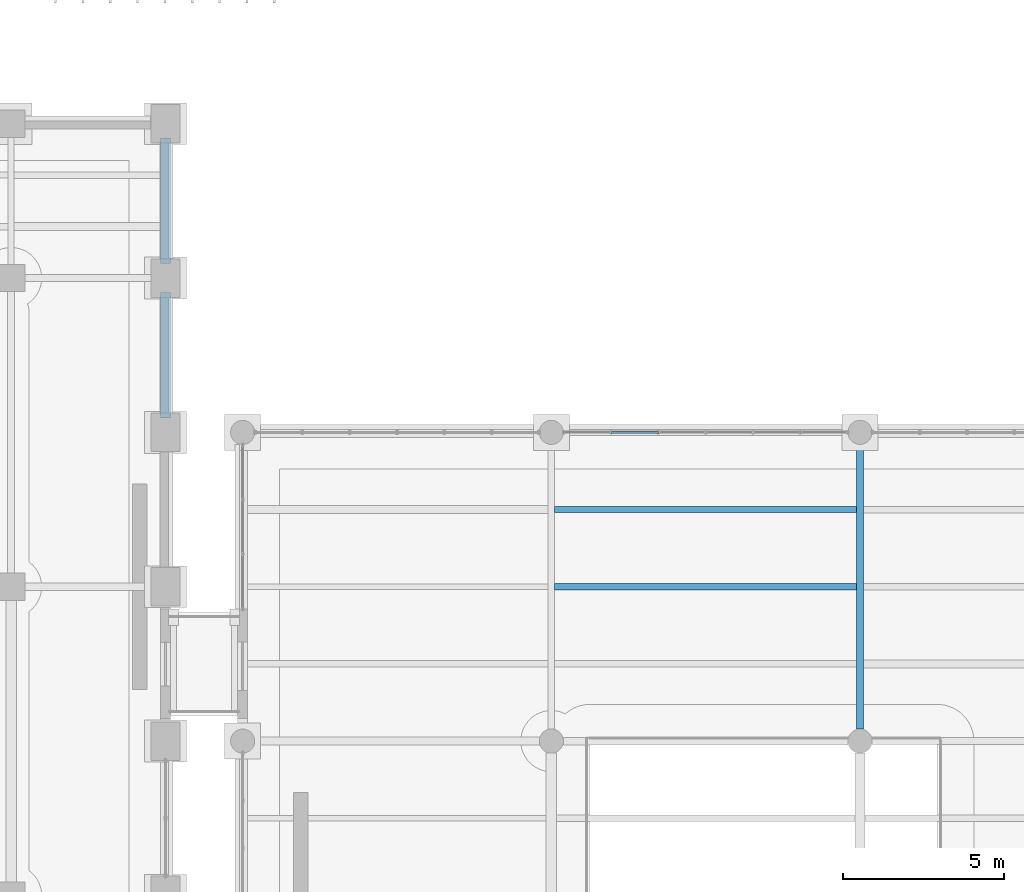
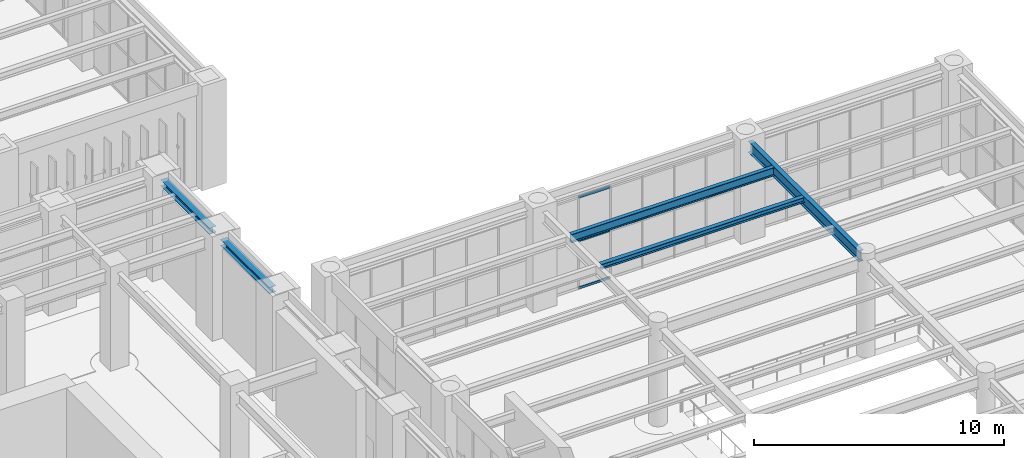
# One storey, part 67 of 174: 5 beams, 3 members, 1 element without a shape of its own.
"""IFC4 building model written with IfcOpenShell, lengths in metres."""

from ifc_helpers import new_model, si_unit, direction, frame, origin, origin_2d, place, context, subcontext, project, spatial, hollow_rectangle, i_section, extrude, material, material_profile, profile_set, type_object, element, aggregate, save


model = new_model("IFC4")

# Units and contexts
model_context = context("Model", 3, precision=1e-05, world=origin(), true_north=direction((0.0, 1.0)))
body_context = subcontext(model_context, "Body", "Model", "MODEL_VIEW")
ifc_project = project(units=[si_unit("LENGTHUNIT", "METRE"), si_unit("AREAUNIT", "SQUARE_METRE"), si_unit("VOLUMEUNIT", "CUBIC_METRE"), si_unit("PLANEANGLEUNIT", "RADIAN"), si_unit("MASSUNIT", "GRAM", prefix="KILO")], contexts=[model_context])

# Site, building, storey
site_placement = place(None, origin())
site = spatial("IfcSite", under=ifc_project, at=site_placement, CompositionType="ELEMENT")
building_placement = place(site_placement, origin())
building = spatial("IfcBuilding", under=site, at=building_placement, Name="Mavantir Sound Aquarium", CompositionType="ELEMENT")
storey_placement = place(building_placement, frame((0.0, 0.0, 5.39990234375)))
storey = spatial("IfcBuildingStorey", under=building, at=storey_placement, Name="L01", CompositionType="ELEMENT", Elevation=5.39990234375)

# Beams
ifc_material_1 = material(Name="Structural Steel ASTM A992 Gr50", Category="steel")
ifc_material_profile_1 = material_profile(ifc_material_1, i_section(OverallWidth=0.202880859375, OverallDepth=0.251953125, WebThickness=0.008056640625, FlangeThickness=0.013427734375, FilletRadius=0.011962890625, at=origin_2d()), Name="W250X58")
ifc_profile_set_1 = profile_set([ifc_material_profile_1], Name="Structural Steel ASTM A992 Gr50")
beam_type_1 = type_object("IfcBeamType", Name="BM-W250X58-I", PredefinedType="JOIST", material=ifc_profile_set_1)
beam_1_placement = place(storey_placement, frame((45.7060546875, 64.800048828125, 4.650146484375), z_axis=(1.0, 0.0, 0.0), x_axis=(0.0, 1.0, 0.0)))
element("IfcBeam", 1, at=beam_1_placement, inside=storey, type_object=beam_type_1, Name="L01 secondary floor joist SJ-25 684", PredefinedType="JOIST", context=body_context, shape_type="SweptSolid", body=[
    extrude(i_section(OverallWidth=0.202880859375, OverallDepth=0.251953125, WebThickness=0.008056640625, FlangeThickness=0.013427734375, FilletRadius=0.011962890625, at=origin_2d()), origin(), (0.0, 0.0, 1.0), 9.387939453125),
])
ifc_material_profile_2 = material_profile(ifc_material_1, i_section(OverallWidth=0.304931640625, OverallDepth=0.30810546875, WebThickness=0.010009765625, FlangeThickness=0.015380859375, FilletRadius=0.014892578125, at=origin_2d()), Name="W310X97")
ifc_profile_set_2 = profile_set([ifc_material_profile_2], Name="Structural Steel ASTM A992 Gr50")
beam_type_2 = type_object("IfcBeamType", Name="BM-W310X97-E", PredefinedType="SPANDREL", material=ifc_profile_set_2)
for number, where, z_axis, x_axis, name in (
    (2, (33.60009765625, 70.050048828125, 4.5419921875), (0.0, 1.0, 0.0), (-1.0, 0.0, 0.0), "L01 primary girder SS-31A 1180"),
    (3, (33.60009765625, 74.85009765625, 4.5419921875), (0.0, 1.0, 0.0), (-1.0, 0.0, 0.0), "L01 primary girder SS-31A 1181"),
):
    element("IfcBeam", number, at=place(storey_placement, frame(where, z_axis=z_axis, x_axis=x_axis)), inside=storey, type_object=beam_type_2, Name=name, PredefinedType="SPANDREL", context=body_context, shape_type="SweptSolid", body=[
        extrude(i_section(OverallWidth=0.304931640625, OverallDepth=0.30810546875, WebThickness=0.010009765625, FlangeThickness=0.015380859375, FilletRadius=0.014892578125, at=origin_2d()), origin(), (0.0, 0.0, 1.0), 3.89990234375),
    ])
ifc_material_profile_3 = material_profile(ifc_material_1, i_section(OverallWidth=0.180908203125, OverallDepth=0.4169921875, WebThickness=0.010986328125, FlangeThickness=0.018310546875, FilletRadius=0.014892578125, at=origin_2d()), Name="W410X85")
ifc_profile_set_3 = profile_set([ifc_material_profile_3], Name="Structural Steel ASTM A992 Gr50")
beam_type_3 = type_object("IfcBeamType", Name="BM-W410X85-I", PredefinedType="JOIST", material=ifc_profile_set_3)
beam_2_placement = place(storey_placement, frame((45.7060546875, 67.199951171875, 4.567626953125), z_axis=(1.0, 0.0, 0.0), x_axis=(0.0, 1.0, 0.0)))
element("IfcBeam", 4, at=beam_2_placement, inside=storey, type_object=beam_type_3, Name="L01 secondary floor joist SJ-41 685", PredefinedType="JOIST", context=body_context, shape_type="SweptSolid", body=[
    extrude(i_section(OverallWidth=0.180908203125, OverallDepth=0.4169921875, WebThickness=0.010986328125, FlangeThickness=0.018310546875, FilletRadius=0.014892578125, at=origin_2d()), origin(), (0.0, 0.0, 1.0), 9.387939453125),
])
ifc_material_profile_4 = material_profile(ifc_material_1, i_section(OverallWidth=0.2119140625, OverallDepth=0.5439453125, WebThickness=0.01318359375, FlangeThickness=0.021240234375, FilletRadius=0.01806640625, at=origin_2d()), Name="W530X123")
ifc_profile_set_4 = profile_set([ifc_material_profile_4], Name="Structural Steel ASTM A992 Gr50")
beam_type_4 = type_object("IfcBeamType", Name="BM-W530X123-I", PredefinedType="BEAM", material=ifc_profile_set_4)
beam_3_placement = place(storey_placement, frame((55.199951171875, 60.375, 4.504150390625), z_axis=(0.0, 1.0, 0.0), x_axis=(-1.0, 0.0, 0.0)))
element("IfcBeam", 5, at=beam_3_placement, inside=storey, type_object=beam_type_4, Name="L01 primary girder SB-53 1202", PredefinedType="BEAM", context=body_context, shape_type="SweptSolid", body=[
    extrude(i_section(OverallWidth=0.2119140625, OverallDepth=0.5439453125, WebThickness=0.01318359375, FlangeThickness=0.021240234375, FilletRadius=0.01806640625, at=origin_2d()), origin(), (0.0, 0.0, 1.0), 8.85009765625),
])

# Curtain wall, members
ifc_material_2 = material(Name="Anodised Marine Aluminium and Low-E Glass", Category="aluminium")
curtain_wall_type = type_object("IfcCurtainWallType", Name="CW-T11", PredefinedType="USERDEFINED", material=ifc_material_2)
curtain_wall_placement = place(storey_placement, origin())
curtain_wall = element("IfcCurtainWall", 6, at=curtain_wall_placement, inside=storey, type_object=curtain_wall_type, Name="L01 unitised curtain wall CW-11 59", ObjectType="UNITISED GLAZING", PredefinedType="USERDEFINED")
ifc_material_3 = material(Name="Anodised Marine Aluminium 6063-T6", Category="aluminium")
ifc_material_profile_5 = material_profile(ifc_material_3, hollow_rectangle(XDim=0.06005859375, YDim=0.110107421875, WallThickness=0.00390625, at=origin_2d()), Name="ALU-TRANSOM-110X60")
ifc_profile_set_5 = profile_set([ifc_material_profile_5], Name="Anodised Marine Aluminium 6063-T6")
member_type = type_object("IfcMemberType", Name="CW-TRN-110", PredefinedType="USERDEFINED", material=ifc_profile_set_5)
member_1_placement = place(storey_placement, frame((48.927734375, 69.60009765625, 0.05517578125), z_axis=(-1.0, 0.0, 0.0), x_axis=(0.0, -1.0, 0.0)))
member_1 = element("IfcMember", 7, at=member_1_placement, type_object=member_type, Name="CW-L01-059 transom 5.1", ObjectType="TRANSOM", PredefinedType="USERDEFINED", context=body_context, shape_type="SweptSolid", body=[
    extrude(hollow_rectangle(XDim=0.06005859375, YDim=0.110107421875, WallThickness=0.00390625, at=origin_2d()), origin(), (0.0, 0.0, 1.0), 1.472412109375),
])
member_2_placement = place(storey_placement, frame((48.927734375, 69.60009765625, 2.362548828125), z_axis=(-1.0, 0.0, 0.0), x_axis=(0.0, -1.0, 0.0)))
member_2 = element("IfcMember", 8, at=member_2_placement, type_object=member_type, Name="CW-L01-059 transom 5.2", ObjectType="TRANSOM", PredefinedType="USERDEFINED", context=body_context, shape_type="SweptSolid", body=[
    extrude(hollow_rectangle(XDim=0.06005859375, YDim=0.110107421875, WallThickness=0.00390625, at=origin_2d()), origin(), (0.0, 0.0, 1.0), 1.472412109375),
])
member_3_placement = place(storey_placement, frame((48.927734375, 69.60009765625, 4.488037109375), z_axis=(-1.0, 0.0, 0.0), x_axis=(0.0, -1.0, 0.0)))
member_3 = element("IfcMember", 9, at=member_3_placement, type_object=member_type, Name="CW-L01-059 transom 5.3", ObjectType="TRANSOM", PredefinedType="USERDEFINED", context=body_context, shape_type="SweptSolid", body=[
    extrude(hollow_rectangle(XDim=0.06005859375, YDim=0.110107421875, WallThickness=0.00390625, at=origin_2d()), origin(), (0.0, 0.0, 1.0), 1.472412109375),
])
aggregate(curtain_wall, [member_1, member_2, member_3])

save(model, "model.ifc")
